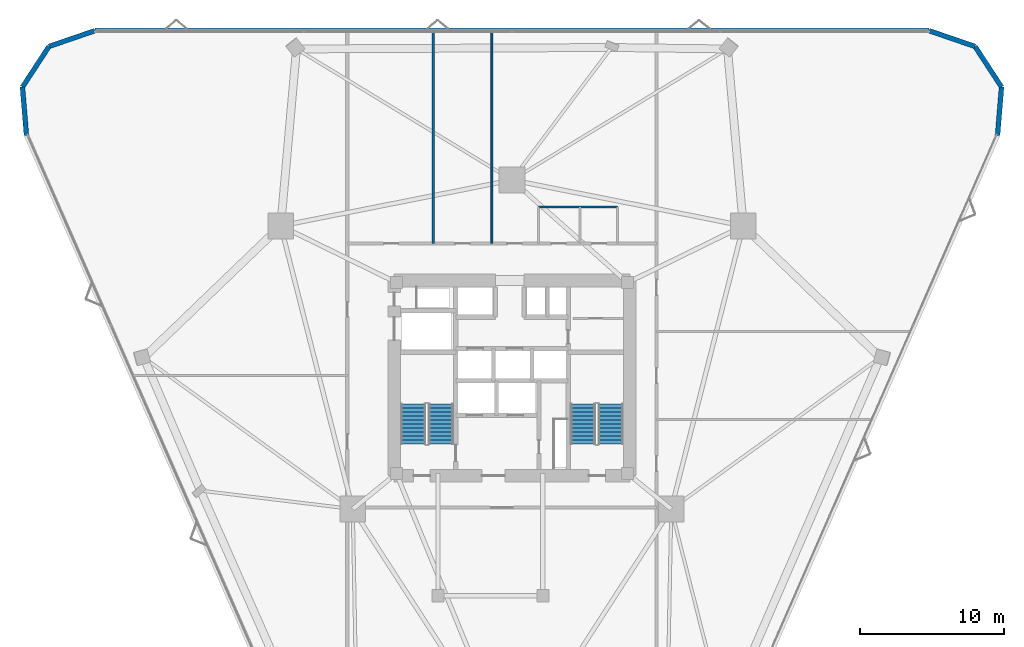
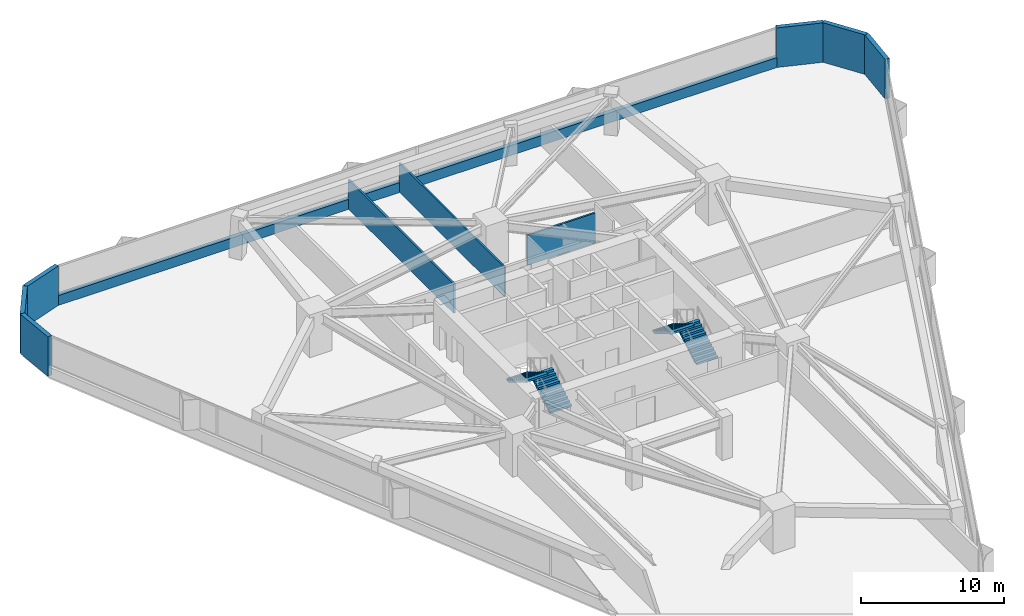
# One storey, part 19 of 20: 10 walls, 4 stair flights, 2 elements without a shape of their own.
"""IFC4 building model written with IfcOpenShell, lengths in metres."""

from ifc_helpers import new_model, si_unit, direction, frame, frame_2d, origin, place, context, subcontext, project, spatial, polyline, rectangle, outline, extrude, material, layer, layer_set, type_object, element, aggregate, save


model = new_model("IFC4")

# Units and contexts
model_context = context("Model", 3, precision=1e-05, world=origin(), true_north=direction((0.0, 1.0)))
body_context = subcontext(model_context, "Body", "Model", "MODEL_VIEW")
ifc_project = project(units=[si_unit("LENGTHUNIT", "METRE"), si_unit("AREAUNIT", "SQUARE_METRE"), si_unit("VOLUMEUNIT", "CUBIC_METRE"), si_unit("PLANEANGLEUNIT", "RADIAN"), si_unit("MASSUNIT", "GRAM", prefix="KILO")], contexts=[model_context])

# Site, building, storey
site_placement = place(None, origin())
site = spatial("IfcSite", under=ifc_project, at=site_placement, CompositionType="ELEMENT")
building_placement = place(site_placement, origin())
building = spatial("IfcBuilding", under=site, at=building_placement, Name="Talyreon Biosciences Tower", CompositionType="ELEMENT")
storey_placement = place(building_placement, frame((0.0, 0.0, 37.39990234375)))
storey = spatial("IfcBuildingStorey", under=building, at=storey_placement, Name="L09", CompositionType="ELEMENT", Elevation=37.39990234375)

# Walls
ifc_material_1 = material(Name="Gypsum acoustic stud partition", Category="gypsum")
ifc_layer_1 = layer(ifc_material_1, 0.159912109375)
ifc_layer_set_1 = layer_set([ifc_layer_1], Name="Gypsum acoustic stud partition")
wall_type_1 = type_object("IfcWallType", Name="LabSeparationPartition_160", PredefinedType="PARTITIONING", material=ifc_layer_set_1)
wall_1_placement = place(storey_placement, frame((60.510009765625, 77.3701171875, 0.0), z_axis=(0.0, 0.0, 1.0), x_axis=(0.0, 1.0, 0.0)))
element("IfcWall", 1, at=wall_1_placement, inside=storey, type_object=wall_type_1, Name="L09 Interior Wall IW-L09-NDIV1", PredefinedType="PARTITIONING", context=body_context, shape_type="SweptSolid", body=[
    extrude(rectangle(XDim=14.732421875, YDim=0.159912109375, at=frame_2d((7.3662109375, 0.0))), origin(), (0.0, 0.0, 1.0), 2.505126953125),
])
ifc_layer_2 = layer(ifc_material_1, 0.1298828125)
ifc_layer_set_2 = layer_set([ifc_layer_2], Name="Gypsum acoustic stud partition")
wall_type_2 = type_object("IfcWallType", Name="OfficeWriteupPartition_130", PredefinedType="PARTITIONING", material=ifc_layer_set_2)
wall_2_placement = place(storey_placement, frame((64.60009765625, 77.3701171875, 0.0), z_axis=(0.0, 0.0, 1.0), x_axis=(0.0, 1.0, 0.0)))
element("IfcWall", 2, at=wall_2_placement, inside=storey, type_object=wall_type_2, Name="L09 Interior Wall IW-L09-NDIV2", PredefinedType="PARTITIONING", context=body_context, shape_type="SweptSolid", body=[
    extrude(rectangle(XDim=14.732421875, YDim=0.1298828125, at=frame_2d((7.3662109375, 0.0))), origin(), (0.0, 0.0, 1.0), 2.505126953125),
])
ifc_material_2 = material(Name="Precast concrete C45/55", Category="concrete")
ifc_layer_3 = layer(ifc_material_2, 0.340087890625)
ifc_layer_set_3 = layer_set([ifc_layer_3], Name="Precast concrete C45/55")
wall_type_3 = type_object("IfcWallType", Name="PrecastConcreteSpandrelWall_340", PredefinedType="STANDARD", material=ifc_layer_set_3)
for number, where, z_axis, x_axis, name in (
    (3, (32.19091796875, 84.901123046875, 0.0), (0.0, 0.0, 1.0), (-0.082225515749, 0.996613748932, 0.0), "L09 Rounded-Corner Concrete Pier 01"),
    (4, (31.913330078125, 88.265625, 0.0), (0.0, 0.0, 1.0), (0.547134403386, 0.837044768595, 0.0), "L09 Rounded-Corner Concrete Pier 02"),
):
    element("IfcWall", number, at=place(storey_placement, frame(where, z_axis=z_axis, x_axis=x_axis)), inside=storey, type_object=wall_type_3, Name=name, PredefinedType="STANDARD", context=body_context, shape_type="SweptSolid", body=[
        extrude(rectangle(XDim=3.3759765625, YDim=0.340087890625, at=frame_2d((1.68798828125, 0.0))), origin(), (0.0, 0.0, 1.0), 3.375),
    ])
wall_3_placement = place(storey_placement, frame((33.760498046875, 91.091552734375, 0.0), z_axis=(0.0, 0.0, 1.0), x_axis=(0.945847654718, 0.324610865599, 0.0)))
element("IfcWall", 5, at=wall_3_placement, inside=storey, type_object=wall_type_3, Name="L09 Rounded-Corner Concrete Pier 03", PredefinedType="STANDARD", context=body_context, shape_type="SweptSolid", body=[
    extrude(rectangle(XDim=3.376220703125, YDim=0.340087890625, at=frame_2d((1.68798828125, 0.0))), origin(), (0.0, 0.0, 1.0), 3.375),
])
wall_4_placement = place(storey_placement, frame((36.953857421875, 92.1875, 0.0), z_axis=(0.0, 0.0, 1.0), x_axis=(1.0, 0.0, 0.0)))
element("IfcWall", 6, at=wall_4_placement, inside=storey, type_object=wall_type_3, Name="L09 Expressed Concrete Sill Wall 04", PredefinedType="STANDARD", context=body_context, shape_type="SweptSolid", body=[
    extrude(rectangle(XDim=58.09228515625, YDim=0.340087890625, at=frame_2d((29.046142578125, 0.0))), origin(), (0.0, 0.0, 1.0), 0.85009765625),
])
wall_5_placement = place(storey_placement, frame((95.046142578125, 92.1875, 0.0), z_axis=(0.0, 0.0, 1.0), x_axis=(0.945847654718, -0.324610865599, 0.0)))
element("IfcWall", 7, at=wall_5_placement, inside=storey, type_object=wall_type_3, Name="L09 Rounded-Corner Concrete Pier 05", PredefinedType="STANDARD", context=body_context, shape_type="SweptSolid", body=[
    extrude(rectangle(XDim=3.376220703125, YDim=0.340087890625, at=frame_2d((1.68798828125, 0.0))), origin(), (0.0, 0.0, 1.0), 3.375),
])
for number, where, z_axis, x_axis, name in (
    (8, (98.239501953125, 91.091552734375, 0.0), (0.0, 0.0, 1.0), (0.547134403386, -0.837044768595, 0.0), "L09 Rounded-Corner Concrete Pier 06"),
    (9, (100.086669921875, 88.265625, 0.0), (0.0, 0.0, 1.0), (-0.082225515749, -0.996613748932, 0.0), "L09 Rounded-Corner Concrete Pier 07"),
):
    element("IfcWall", number, at=place(storey_placement, frame(where, z_axis=z_axis, x_axis=x_axis)), inside=storey, type_object=wall_type_3, Name=name, PredefinedType="STANDARD", context=body_context, shape_type="SweptSolid", body=[
        extrude(rectangle(XDim=3.3759765625, YDim=0.340087890625, at=frame_2d((1.68798828125, 0.0))), origin(), (0.0, 0.0, 1.0), 3.375),
    ])
ifc_material_3 = material(Name="Moisture-resistant cement-board stud", Category="gypsum")
ifc_layer_4 = layer(ifc_material_3, 0.14501953125)
ifc_layer_set_4 = layer_set([ifc_layer_4], Name="Moisture-resistant cement-board stud")
wall_type_4 = type_object("IfcWallType", Name="WetRoomPartition_145", PredefinedType="PARTITIONING", material=ifc_layer_set_4)
wall_6_placement = place(storey_placement, frame((67.85009765625, 79.919921875, 0.0), z_axis=(0.0, 0.0, 1.0), x_axis=(1.0, 0.0, 0.0)))
element("IfcWall", 10, at=wall_6_placement, inside=storey, type_object=wall_type_4, Name="L09 Interior Wall IW-L09-WCT", PredefinedType="PARTITIONING", context=body_context, shape_type="SweptSolid", body=[
    extrude(rectangle(XDim=5.5, YDim=0.14501953125, at=frame_2d((2.75, 0.0))), origin(), (0.0, 0.0, 1.0), 2.55517578125),
])

# Stair, stair flights
ifc_material_4 = material(Name="Concrete C40/50", Category="concrete")
stair_type = type_object("IfcStairType", Name="DoglegEscapeStair_3650", PredefinedType="HALF_TURN_STAIR", material=ifc_material_4)
stair_1_placement = place(storey_placement, origin())
stair_1 = element("IfcStair", 11, at=stair_1_placement, inside=storey, type_object=stair_type, Name="L09 Core Escape Stair 1", PredefinedType="HALF_TURN_STAIR")
stair_flight_type = type_object("IfcStairFlightType", Name="PrecastStairFlight_3650", PredefinedType="STRAIGHT", material=ifc_material_4)
stair_flight_1_placement = place(storey_placement, frame((61.06005859375, 63.39990234375, 0.0), z_axis=(0.0, 0.0, 1.0), x_axis=(0.0, 1.0, 0.0)))
stair_flight_1 = element("IfcStairFlight", 12, at=stair_flight_1_placement, type_object=stair_flight_type, Name="ST-1 flight 1", NumberOfRisers=11, NumberOfTreads=10, PredefinedType="STRAIGHT", RiserHeight=0.165909091, TreadLength=0.28, context=body_context, shape_type="SweptSolid", body=[
    extrude(outline(polyline([(0.0, 0.0), (0.0, 0.166015625), (0.280029296875, 0.166015625), (0.280029296875, 0.331787109375), (0.56005859375, 0.331787109375), (0.56005859375, 0.497802734375), (0.840087890625, 0.497802734375), (0.840087890625, 0.66357421875), (1.1201171875, 0.66357421875), (1.1201171875, 0.82958984375), (1.39990234375, 0.82958984375), (1.39990234375, 0.995361328125), (1.679931640625, 0.995361328125), (1.679931640625, 1.161376953125), (1.9599609375, 1.161376953125), (1.9599609375, 1.327392578125), (2.239990234375, 1.327392578125), (2.239990234375, 1.4931640625), (2.52001953125, 1.4931640625), (2.52001953125, 1.6591796875), (2.800048828125, 1.6591796875), (2.800048828125, 1.824951171875), (2.800048828125, 1.48486328125), (0.2939453125, 0.0), (0.0, 0.0)])), frame((0.0, 0.8701171875, 0.0), z_axis=(0.0, -1.0, 0.0), x_axis=(1.0, 0.0, 0.0)), (0.0, 0.0, 1.0), 1.739990234375),
])
stair_flight_2_placement = place(storey_placement, frame((59.1201171875, 66.199951171875, 1.8251953125), z_axis=(0.0, 0.0, 1.0), x_axis=(0.0, -1.0, 0.0)))
stair_flight_2 = element("IfcStairFlight", 13, at=stair_flight_2_placement, type_object=stair_flight_type, Name="ST-1 flight 2", NumberOfRisers=11, NumberOfTreads=10, PredefinedType="STRAIGHT", RiserHeight=0.165909091, TreadLength=0.28, context=body_context, shape_type="SweptSolid", body=[
    extrude(outline(polyline([(0.0, 0.0), (0.0, 0.166015625), (0.280029296875, 0.166015625), (0.280029296875, 0.331787109375), (0.56005859375, 0.331787109375), (0.56005859375, 0.497802734375), (0.840087890625, 0.497802734375), (0.840087890625, 0.66357421875), (1.1201171875, 0.66357421875), (1.1201171875, 0.82958984375), (1.39990234375, 0.82958984375), (1.39990234375, 0.995361328125), (1.679931640625, 0.995361328125), (1.679931640625, 1.161376953125), (1.9599609375, 1.161376953125), (1.9599609375, 1.327392578125), (2.239990234375, 1.327392578125), (2.239990234375, 1.4931640625), (2.52001953125, 1.4931640625), (2.52001953125, 1.6591796875), (2.800048828125, 1.6591796875), (2.800048828125, 1.824951171875), (2.800048828125, 1.48486328125), (0.2939453125, 0.0), (0.0, 0.0)])), frame((0.0, 0.8701171875, 0.0), z_axis=(0.0, -1.0, 0.0), x_axis=(1.0, 0.0, 0.0)), (0.0, 0.0, 1.0), 1.739990234375),
])
aggregate(stair_1, [stair_flight_1, stair_flight_2])

stair_2_placement = place(storey_placement, origin())
stair_2 = element("IfcStair", 14, at=stair_2_placement, inside=storey, type_object=stair_type, Name="L09 Core Escape Stair 2", PredefinedType="HALF_TURN_STAIR")
stair_flight_3_placement = place(storey_placement, frame((72.8798828125, 63.39990234375, 0.0), z_axis=(0.0, 0.0, 1.0), x_axis=(0.0, 1.0, 0.0)))
stair_flight_3 = element("IfcStairFlight", 15, at=stair_flight_3_placement, type_object=stair_flight_type, Name="ST-2 flight 1", NumberOfRisers=11, NumberOfTreads=10, PredefinedType="STRAIGHT", RiserHeight=0.165909091, TreadLength=0.28, context=body_context, shape_type="SweptSolid", body=[
    extrude(outline(polyline([(0.0, 0.0), (0.0, 0.166015625), (0.280029296875, 0.166015625), (0.280029296875, 0.331787109375), (0.56005859375, 0.331787109375), (0.56005859375, 0.497802734375), (0.840087890625, 0.497802734375), (0.840087890625, 0.66357421875), (1.1201171875, 0.66357421875), (1.1201171875, 0.82958984375), (1.39990234375, 0.82958984375), (1.39990234375, 0.995361328125), (1.679931640625, 0.995361328125), (1.679931640625, 1.161376953125), (1.9599609375, 1.161376953125), (1.9599609375, 1.327392578125), (2.239990234375, 1.327392578125), (2.239990234375, 1.4931640625), (2.52001953125, 1.4931640625), (2.52001953125, 1.6591796875), (2.800048828125, 1.6591796875), (2.800048828125, 1.824951171875), (2.800048828125, 1.48486328125), (0.2939453125, 0.0), (0.0, 0.0)])), frame((0.0, 0.8701171875, 0.0), z_axis=(0.0, -1.0, 0.0), x_axis=(1.0, 0.0, 0.0)), (0.0, 0.0, 1.0), 1.739990234375),
])
stair_flight_4_placement = place(storey_placement, frame((70.93994140625, 66.199951171875, 1.8251953125), z_axis=(0.0, 0.0, 1.0), x_axis=(0.0, -1.0, 0.0)))
stair_flight_4 = element("IfcStairFlight", 16, at=stair_flight_4_placement, type_object=stair_flight_type, Name="ST-2 flight 2", NumberOfRisers=11, NumberOfTreads=10, PredefinedType="STRAIGHT", RiserHeight=0.165909091, TreadLength=0.28, context=body_context, shape_type="SweptSolid", body=[
    extrude(outline(polyline([(0.0, 0.0), (0.0, 0.166015625), (0.280029296875, 0.166015625), (0.280029296875, 0.331787109375), (0.56005859375, 0.331787109375), (0.56005859375, 0.497802734375), (0.840087890625, 0.497802734375), (0.840087890625, 0.66357421875), (1.1201171875, 0.66357421875), (1.1201171875, 0.82958984375), (1.39990234375, 0.82958984375), (1.39990234375, 0.995361328125), (1.679931640625, 0.995361328125), (1.679931640625, 1.161376953125), (1.9599609375, 1.161376953125), (1.9599609375, 1.327392578125), (2.239990234375, 1.327392578125), (2.239990234375, 1.4931640625), (2.52001953125, 1.4931640625), (2.52001953125, 1.6591796875), (2.800048828125, 1.6591796875), (2.800048828125, 1.824951171875), (2.800048828125, 1.48486328125), (0.2939453125, 0.0), (0.0, 0.0)])), frame((0.0, 0.8701171875, 0.0), z_axis=(0.0, -1.0, 0.0), x_axis=(1.0, 0.0, 0.0)), (0.0, 0.0, 1.0), 1.739990234375),
])
aggregate(stair_2, [stair_flight_3, stair_flight_4])

save(model, "model.ifc")
